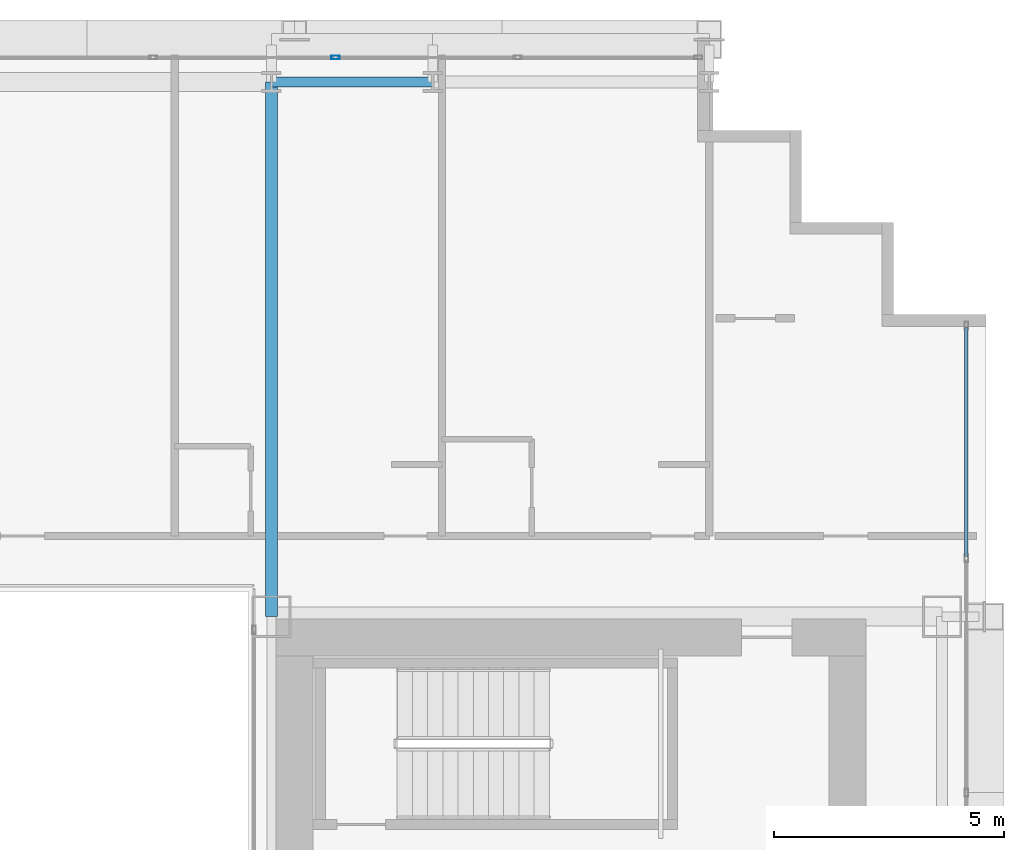
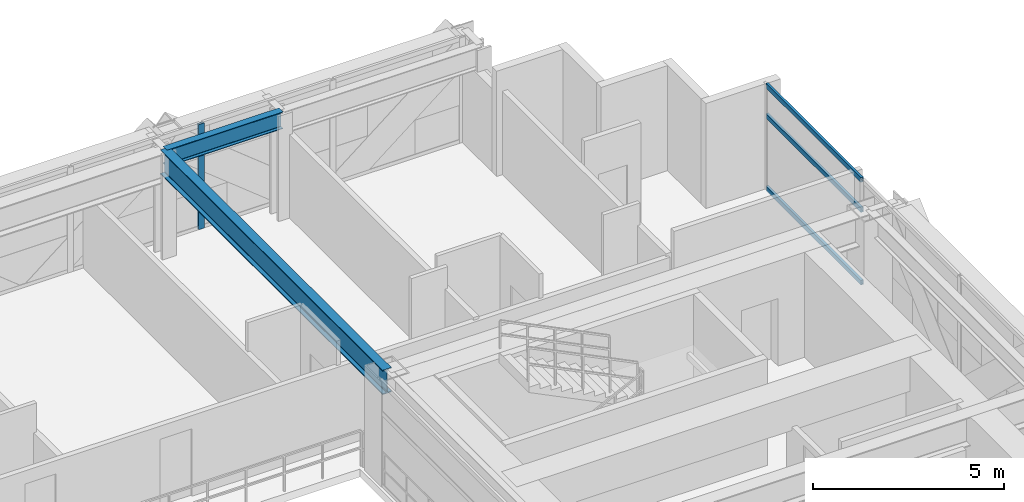
# One storey, part 24 of 41: 4 members, 2 beams, 2 elements without a shape of their own.
"""IFC4 building model written with IfcOpenShell, lengths in metres."""

from ifc_helpers import new_model, si_unit, direction, frame, origin, origin_2d, place, context, subcontext, project, spatial, hollow_rectangle, i_section, extrude, source, transform, mapped, material, layer, layer_set, material_profile, profile_set, type_object, element, aggregate, save


model = new_model("IFC4")

# Units and contexts
model_context = context("Model", 3, precision=1e-05, world=origin(), true_north=direction((0.0, 1.0)))
body_context = subcontext(model_context, "Body", "Model", "MODEL_VIEW")
ifc_project = project(units=[si_unit("LENGTHUNIT", "METRE"), si_unit("AREAUNIT", "SQUARE_METRE"), si_unit("VOLUMEUNIT", "CUBIC_METRE"), si_unit("PLANEANGLEUNIT", "RADIAN"), si_unit("MASSUNIT", "GRAM", prefix="KILO")], contexts=[model_context])

# Site, building, storey
site_placement = place(None, origin())
site = spatial("IfcSite", under=ifc_project, at=site_placement, CompositionType="ELEMENT")
building_placement = place(site_placement, origin())
building = spatial("IfcBuilding", under=site, at=building_placement, Name="Ocotamira Hotel", CompositionType="ELEMENT")
storey_placement = place(building_placement, frame((0.0, 0.0, 52.800048828125)))
storey = spatial("IfcBuildingStorey", under=building, at=storey_placement, Name="L12", CompositionType="ELEMENT", Elevation=52.800048828125)

# Beams
ifc_material_1 = material(Name="Steel ASTM A992 Grade 50", Category="steel")
ifc_material_profile_1 = material_profile(ifc_material_1, i_section(OverallWidth=0.2099609375, OverallDepth=0.537109375, WebThickness=0.010986328125, FlangeThickness=0.017333984375, FilletRadius=0.012939453125, at=origin_2d()), Name="W21X68")
ifc_profile_set_1 = profile_set([ifc_material_profile_1], Name="Steel ASTM A992 Grade 50")
beam_type_1 = type_object("IfcBeamType", Name="BM-SEC-W21X68", PredefinedType="JOIST", material=ifc_profile_set_1)
shared_shape_1 = source(origin(), body_context, "Body", "SweptSolid", [
    extrude(i_section(OverallWidth=0.2099609375, OverallDepth=0.537109375, WebThickness=0.010986328125, FlangeThickness=0.017333984375, FilletRadius=0.012939453125, at=origin_2d()), origin(), (0.0, 0.0, 1.0), 3.5),
])
beam_1_placement = place(storey_placement, frame((40.5, 49.050048828125, 3.08154296875), z_axis=(1.0, 0.0, 0.0), x_axis=(0.0, 1.0, 0.0)))
element("IfcBeam", 1, at=beam_1_placement, inside=storey, type_object=beam_type_1, Name="L12 Girder Y49.05 X40.5-44", PredefinedType="JOIST", context=body_context, shape_type="MappedRepresentation", body=[
    mapped(shared_shape_1, transform((0.0, 0.0, 0.0), scale=1.0)),
])
ifc_material_profile_2 = material_profile(ifc_material_1, i_section(OverallWidth=0.26611328125, OverallDepth=0.779052734375, WebThickness=0.0166015625, FlangeThickness=0.030029296875, FilletRadius=0.01806640625, at=origin_2d()), Name="W30X148")
ifc_profile_set_2 = profile_set([ifc_material_profile_2], Name="Steel ASTM A992 Grade 50")
beam_type_2 = type_object("IfcBeamType", Name="BM-GIRD-W30X148", PredefinedType="BEAM", material=ifc_profile_set_2)
shared_shape_2 = source(origin(), body_context, "Body", "SweptSolid", [
    extrude(i_section(OverallWidth=0.26611328125, OverallDepth=0.779052734375, WebThickness=0.0166015625, FlangeThickness=0.030029296875, FilletRadius=0.01806640625, at=origin_2d()), origin(), (0.0, 0.0, 1.0), 11.60009765625),
])
beam_2_placement = place(storey_placement, frame((40.5, 37.449951171875, 2.96044921875), z_axis=(0.0, 1.0, 0.0), x_axis=(-1.0, 0.0, 0.0)))
element("IfcBeam", 2, at=beam_2_placement, inside=storey, type_object=beam_type_2, Name="L12 Beam X40.5 Y37.45-49.05", PredefinedType="BEAM", context=body_context, shape_type="MappedRepresentation", body=[
    mapped(shared_shape_2, transform((0.0, 0.0, 0.0), scale=1.0)),
])

# Curtain wall, member
ifc_material_2 = material(Name="Anodised pale-metal aluminium and solar glass", Category="aluminium")
ifc_layer = layer(ifc_material_2, 0.179931640625)
ifc_layer_set = layer_set([ifc_layer], Name="Anodised pale-metal aluminium and solar glass")
curtain_wall_type = type_object("IfcCurtainWallType", Name="CW-SYS2-Z1", PredefinedType="NOTDEFINED", material=ifc_layer_set)
curtain_wall_1_placement = place(storey_placement, origin())
curtain_wall_1 = element("IfcCurtainWall", 3, at=curtain_wall_1_placement, inside=storey, type_object=curtain_wall_type, Name="L12 Curtain Wall CW-2 CW-L12-N", PredefinedType="NOTDEFINED")
ifc_material_3 = material(Name="Anodised pale-metal aluminium 6063-T6", Category="aluminium")
ifc_material_profile_3 = material_profile(ifc_material_3, hollow_rectangle(XDim=0.080078125, YDim=0.179931640625, WallThickness=0.006103515625, at=origin_2d()), Name="HSS180X80X6")
ifc_profile_set_3 = profile_set([ifc_material_profile_3], Name="Anodised pale-metal aluminium 6063-T6")
member_type_1 = type_object("IfcMemberType", Name="CWM-180X75", PredefinedType="MULLION", material=ifc_profile_set_3)
shared_shape_3 = source(origin(), body_context, "Body", "SweptSolid", [
    extrude(hollow_rectangle(XDim=0.080078125, YDim=0.179931640625, WallThickness=0.006103515625, at=origin_2d()), origin(), (0.0, 0.0, 1.0), 3.349853515625),
])
member_1_placement = place(storey_placement, frame((41.888916015625, 49.580078125, 0.0), z_axis=(0.0, 0.0, 1.0), x_axis=(0.0, 1.0, 0.0)))
member_1 = element("IfcMember", 4, at=member_1_placement, type_object=member_type_1, Name="CW-2 mullion 8", PredefinedType="MULLION", context=body_context, shape_type="MappedRepresentation", body=[
    mapped(shared_shape_3, transform((0.0, 0.0, 0.0), scale=1.0)),
])
aggregate(curtain_wall_1, [member_1])

# Curtain wall, members
curtain_wall_2_placement = place(storey_placement, origin())
curtain_wall_2 = element("IfcCurtainWall", 5, at=curtain_wall_2_placement, inside=storey, type_object=curtain_wall_type, Name="L12 Curtain Wall CW-2 CW-L12-E", PredefinedType="NOTDEFINED")
ifc_material_profile_4 = material_profile(ifc_material_3, hollow_rectangle(XDim=0.074951171875, YDim=0.14990234375, WallThickness=0.006103515625, at=origin_2d()), Name="HSS150X75X6")
ifc_profile_set_4 = profile_set([ifc_material_profile_4], Name="Anodised pale-metal aluminium 6063-T6")
member_type_2 = type_object("IfcMemberType", Name="CWT-150X75", PredefinedType="USERDEFINED", material=ifc_profile_set_4)
shared_shape_4 = source(origin(), body_context, "Body", "SweptSolid", [
    extrude(hollow_rectangle(XDim=0.074951171875, YDim=0.14990234375, WallThickness=0.006103515625, at=origin_2d()), origin(), (0.0, 0.0, 1.0), 4.965576171875),
])
member_2_placement = place(storey_placement, frame((55.580078125, 38.75439453125, 0.037353515625), z_axis=(0.0, 1.0, 0.0), x_axis=(-1.0, 0.0, 0.0)))
member_2 = element("IfcMember", 6, at=member_2_placement, type_object=member_type_2, Name="CW-2 transom 7.1", ObjectType="TRANSOM", PredefinedType="USERDEFINED", context=body_context, shape_type="MappedRepresentation", body=[
    mapped(shared_shape_4, transform((0.0, 0.0, 0.0), scale=1.0)),
])
member_3_placement = place(storey_placement, frame((55.580078125, 38.75439453125, 2.349853515625), z_axis=(0.0, 1.0, 0.0), x_axis=(-1.0, 0.0, 0.0)))
member_3 = element("IfcMember", 7, at=member_3_placement, type_object=member_type_2, Name="CW-2 transom 7.2", ObjectType="TRANSOM", PredefinedType="USERDEFINED", context=body_context, shape_type="MappedRepresentation", body=[
    mapped(shared_shape_4, transform((0.0, 0.0, 0.0), scale=1.0)),
])
member_4_placement = place(storey_placement, frame((55.580078125, 38.75439453125, 3.3125), z_axis=(0.0, 1.0, 0.0), x_axis=(-1.0, 0.0, 0.0)))
member_4 = element("IfcMember", 8, at=member_4_placement, type_object=member_type_2, Name="CW-2 transom 7.3", ObjectType="TRANSOM", PredefinedType="USERDEFINED", context=body_context, shape_type="MappedRepresentation", body=[
    mapped(shared_shape_4, transform((0.0, 0.0, 0.0), scale=1.0)),
])
aggregate(curtain_wall_2, [member_2, member_3, member_4])

save(model, "model.ifc")
